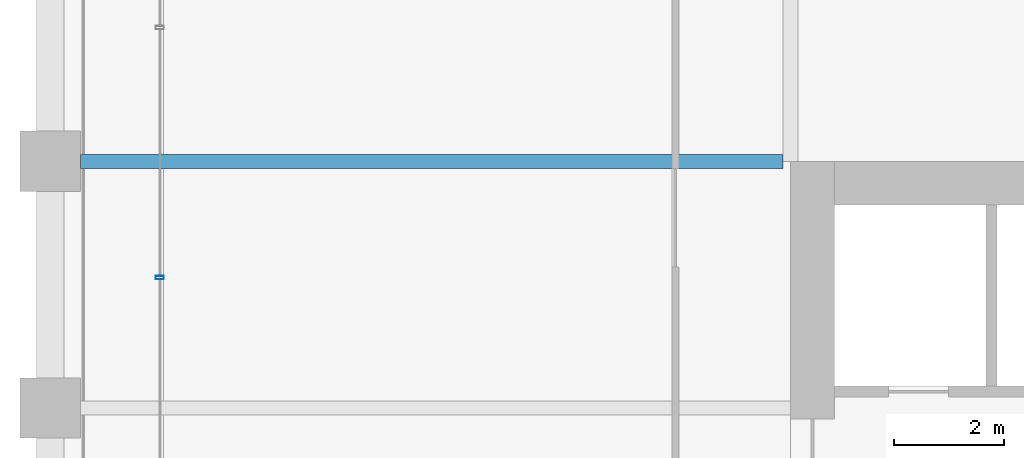
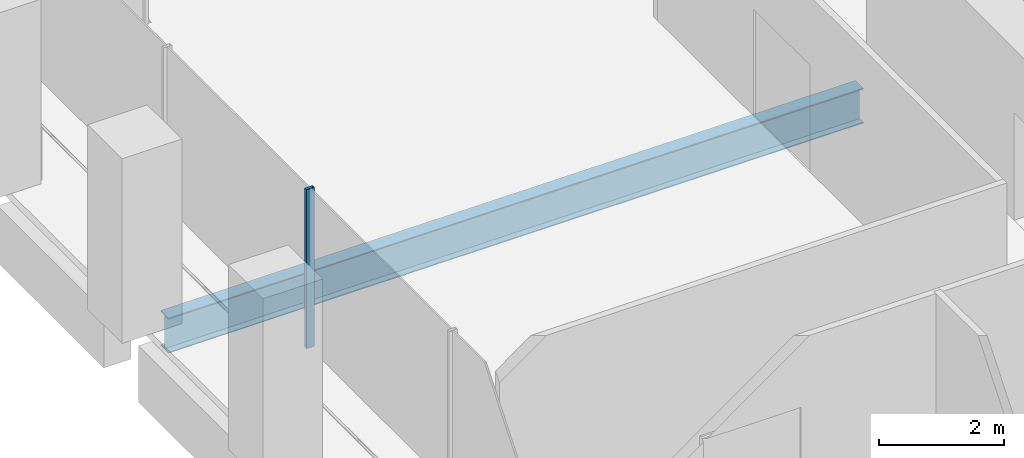
# One storey, part 14 of 54: 1 beam, 1 member, 1 element without a shape of its own.
"""IFC4 building model written with IfcOpenShell, lengths in metres."""

from ifc_helpers import new_model, si_unit, direction, frame, origin, origin_2d, place, context, subcontext, project, spatial, hollow_rectangle, i_section, extrude, material, material_profile, profile_set, type_object, element, aggregate, save


model = new_model("IFC4")

# Units and contexts
model_context = context("Model", 3, precision=1e-05, world=origin(), true_north=direction((0.0, 1.0)))
body_context = subcontext(model_context, "Body", "Model", "MODEL_VIEW")
ifc_project = project(units=[si_unit("LENGTHUNIT", "METRE"), si_unit("AREAUNIT", "SQUARE_METRE"), si_unit("VOLUMEUNIT", "CUBIC_METRE"), si_unit("PLANEANGLEUNIT", "RADIAN"), si_unit("MASSUNIT", "GRAM", prefix="KILO")], contexts=[model_context])

# Site, building, storey
site_placement = place(None, origin())
site = spatial("IfcSite", under=ifc_project, at=site_placement, CompositionType="ELEMENT")
building_placement = place(site_placement, origin())
building = spatial("IfcBuilding", under=site, at=building_placement, Name="Altepetl Exchange Towers", CompositionType="ELEMENT")
storey_placement = place(building_placement, frame((0.0, 0.0, 58.199951171875)))
storey = spatial("IfcBuildingStorey", under=building, at=storey_placement, Name="L13", CompositionType="ELEMENT", Elevation=58.199951171875)

# Beam
ifc_material_1 = material(Name="Steel S355", Category="steel")
ifc_material_profile_1 = material_profile(ifc_material_1, i_section(OverallWidth=0.25390625, OverallDepth=0.68408203125, WebThickness=0.012451171875, FlangeThickness=0.018798828125, at=origin_2d()), Name="W27X94")
ifc_profile_set_1 = profile_set([ifc_material_profile_1], Name="Steel S355")
beam_type = type_object("IfcBeamType", Name="Floor beam W27X94", PredefinedType="BEAM", material=ifc_profile_set_1)
beam_placement = place(storey_placement, frame((27.550048828125, 58.5, -0.491943359375), z_axis=(1.0, 0.0, 0.0), x_axis=(0.0, 1.0, 0.0)))
element("IfcBeam", 1, at=beam_placement, inside=storey, type_object=beam_type, Name="bm:A:L13:021", PredefinedType="BEAM", context=body_context, shape_type="SweptSolid", body=[
    extrude(i_section(OverallWidth=0.25390625, OverallDepth=0.68408203125, WebThickness=0.012451171875, FlangeThickness=0.018798828125, at=origin_2d()), origin(), (0.0, 0.0, 1.0), 12.81591796875),
])

# Curtain wall, member
ifc_material_2 = material(Name="Aluminium 6063-T6 glazing", Category="aluminium")
curtain_wall_type = type_object("IfcCurtainWallType", Name="Loggia glazing system", PredefinedType="NOTDEFINED", material=ifc_material_2)
curtain_wall_placement = place(storey_placement, origin())
curtain_wall = element("IfcCurtainWall", 2, at=curtain_wall_placement, inside=storey, type_object=curtain_wall_type, Name="CW1 run", PredefinedType="NOTDEFINED")
ifc_material_3 = material(Name="Aluminium 6063-T6", Category="aluminium")
ifc_material_profile_2 = material_profile(ifc_material_3, hollow_rectangle(XDim=0.06005859375, YDim=0.14990234375, WallThickness=0.0029296875, at=origin_2d()), Name="Mullion 60x150 aluminium")
ifc_profile_set_2 = profile_set([ifc_material_profile_2], Name="Aluminium 6063-T6")
member_type = type_object("IfcMemberType", Name="Mullion 60x150 aluminium", PredefinedType="MULLION", material=ifc_profile_set_2)
member_placement = place(storey_placement, frame((29.0, 56.378662109375, 0.0), z_axis=(0.0, 0.0, 1.0), x_axis=(0.0, -1.0, 0.0)))
member = element("IfcMember", 3, at=member_placement, type_object=member_type, Name="MU1 mullion", PredefinedType="MULLION", context=body_context, shape_type="SweptSolid", body=[
    extrude(hollow_rectangle(XDim=0.06005859375, YDim=0.14990234375, WallThickness=0.0029296875, at=origin_2d()), origin(), (0.0, 0.0, 1.0), 3.10009765625),
])
aggregate(curtain_wall, [member])

save(model, "model.ifc")
